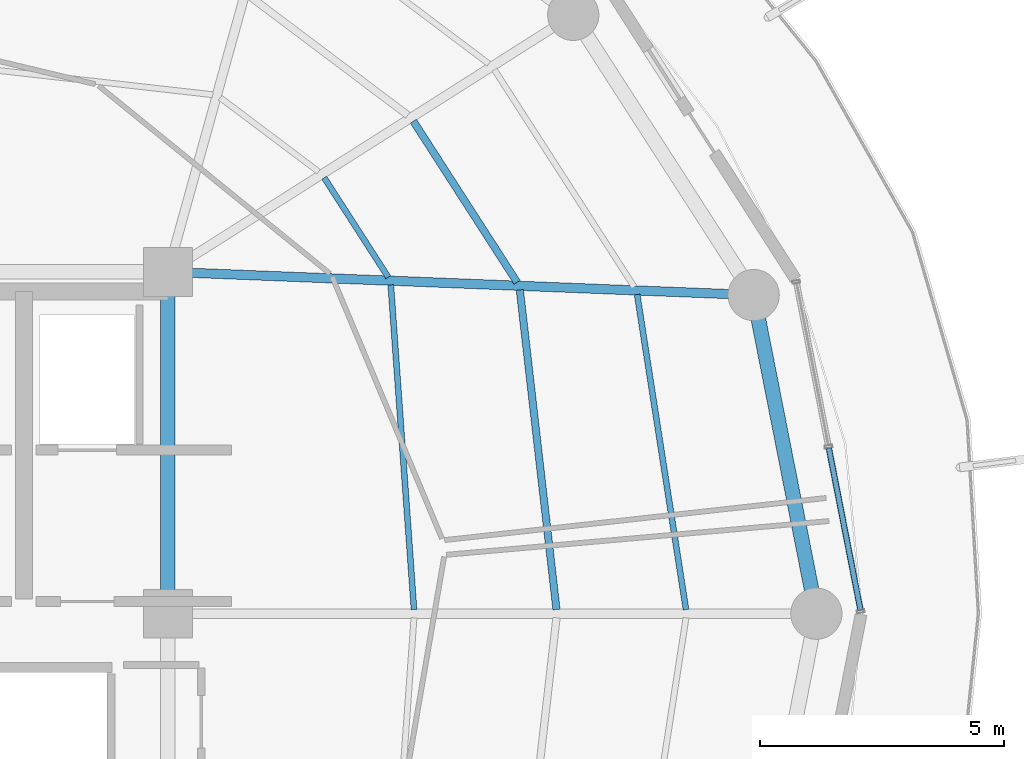
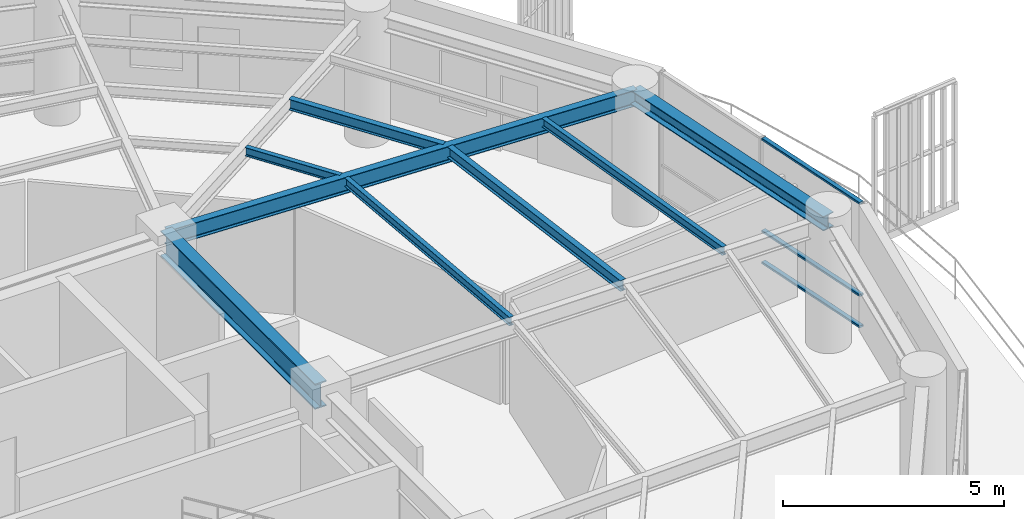
# One storey, part 14 of 30: 8 beams, 3 members, 1 element without a shape of its own.
"""IFC4 building model written with IfcOpenShell, lengths in metres."""

from ifc_helpers import new_model, si_unit, direction, frame, origin, origin_2d, place, context, subcontext, project, spatial, hollow_rectangle, i_section, extrude, material, layer, layer_set, material_profile, profile_set, type_object, element, aggregate, save


model = new_model("IFC4")

# Units and contexts
model_context = context("Model", 3, precision=1e-05, world=origin(), true_north=direction((0.0, 1.0)))
body_context = subcontext(model_context, "Body", "Model", "MODEL_VIEW")
ifc_project = project(units=[si_unit("LENGTHUNIT", "METRE"), si_unit("AREAUNIT", "SQUARE_METRE"), si_unit("VOLUMEUNIT", "CUBIC_METRE"), si_unit("PLANEANGLEUNIT", "RADIAN"), si_unit("MASSUNIT", "GRAM", prefix="KILO")], contexts=[model_context])

# Site, building, storey
site_placement = place(None, origin())
site = spatial("IfcSite", under=ifc_project, at=site_placement, CompositionType="ELEMENT")
building_placement = place(site_placement, origin())
building = spatial("IfcBuilding", under=site, at=building_placement, Name="Kelanora Arch Commons", CompositionType="ELEMENT")
storey_placement = place(building_placement, frame((0.0, 0.0, 234.449951171875)))
storey = spatial("IfcBuildingStorey", under=building, at=storey_placement, Name="L60", CompositionType="ELEMENT", Elevation=234.449951171875)

# Beams
ifc_material_1 = material(Name="Steel S355", Category="steel")
ifc_material_profile_1 = material_profile(ifc_material_1, i_section(OverallWidth=0.300048828125, OverallDepth=0.699951171875, WebThickness=0.01708984375, FlangeThickness=0.031982421875, FilletRadius=0.027099609375, at=origin_2d()), Name="HEB700")
ifc_profile_set_1 = profile_set([ifc_material_profile_1], Name="Steel S355")
beam_type_1 = type_object("IfcBeamType", Name="BM-CORE-HDR", PredefinedType="BEAM", material=ifc_profile_set_1)
beam_1_placement = place(storey_placement, frame((82.0, 58.0, 3.14013671875), z_axis=(0.0, 1.0, 0.0), x_axis=(-1.0, 0.0, 0.0)))
element("IfcBeam", 1, at=beam_1_placement, inside=storey, type_object=beam_type_1, Name="Core Header Beam 04 L60", PredefinedType="BEAM", context=body_context, shape_type="SweptSolid", body=[
    extrude(i_section(OverallWidth=0.300048828125, OverallDepth=0.699951171875, WebThickness=0.01708984375, FlangeThickness=0.031982421875, FilletRadius=0.027099609375, at=origin_2d()), origin(), (0.0, 0.0, 1.0), 7.0),
])
ifc_material_profile_2 = material_profile(ifc_material_1, i_section(OverallWidth=0.14990234375, OverallDepth=0.300048828125, WebThickness=0.007080078125, FlangeThickness=0.0107421875, FilletRadius=0.014892578125, at=origin_2d()), Name="IPE300")
ifc_profile_set_2 = profile_set([ifc_material_profile_2], Name="Steel S355")
beam_type_2 = type_object("IfcBeamType", Name="BM-JST-01", PredefinedType="JOIST", material=ifc_profile_set_2)
beam_2_placement = place(storey_placement, frame((89.958251953125, 58.08447265625, 3.340087890625), z_axis=(-0.113891408177, 0.993493204377, 0.0), x_axis=(-0.993493204377, -0.113891408177, 0.0)))
element("IfcBeam", 2, at=beam_2_placement, inside=storey, type_object=beam_type_2, Name="Secondary Chord Joist BJB-00 L60", PredefinedType="JOIST", context=body_context, shape_type="SweptSolid", body=[
    extrude(i_section(OverallWidth=0.14990234375, OverallDepth=0.300048828125, WebThickness=0.007080078125, FlangeThickness=0.0107421875, FilletRadius=0.014892578125, at=origin_2d()), origin(), (0.0, 0.0, 1.0), 6.589599609375),
])
beam_3_placement = place(storey_placement, frame((89.152099609375, 64.786865234375, 3.340087890625), z_axis=(-0.541411265892, 0.840757896879, 0.0), x_axis=(-0.840757896879, -0.541411265892, 0.0)))
element("IfcBeam", 3, at=beam_3_placement, inside=storey, type_object=beam_type_2, Name="Secondary Chord Joist BJB-02 L60", PredefinedType="JOIST", context=body_context, shape_type="SweptSolid", body=[
    extrude(i_section(OverallWidth=0.14990234375, OverallDepth=0.300048828125, WebThickness=0.007080078125, FlangeThickness=0.0107421875, FilletRadius=0.014892578125, at=origin_2d()), origin(), (0.0, 0.0, 1.0), 3.92529296875),
])
ifc_material_profile_3 = material_profile(ifc_material_1, i_section(OverallWidth=0.1201171875, OverallDepth=0.239990234375, WebThickness=0.006103515625, FlangeThickness=0.009765625, FilletRadius=0.014892578125, at=origin_2d()), Name="IPE240")
ifc_profile_set_3 = profile_set([ifc_material_profile_3], Name="Steel S355")
beam_type_3 = type_object("IfcBeamType", Name="BM-JST-02", PredefinedType="JOIST", material=ifc_profile_set_3)
beam_4_placement = place(storey_placement, frame((87.040283203125, 58.084716796875, 3.3701171875), z_axis=(-0.07133032136, 0.997452748382, 0.0), x_axis=(-0.997452748382, -0.07133032136, 0.0)))
element("IfcBeam", 4, at=beam_4_placement, inside=storey, type_object=beam_type_3, Name="Secondary Chord Joist BJA-00 L60", PredefinedType="JOIST", context=body_context, shape_type="SweptSolid", body=[
    extrude(i_section(OverallWidth=0.1201171875, OverallDepth=0.239990234375, WebThickness=0.006103515625, FlangeThickness=0.009765625, FilletRadius=0.014892578125, at=origin_2d()), origin(), (0.0, 0.0, 1.0), 6.66748046875),
])
beam_5_placement = place(storey_placement, frame((92.611083984375, 58.083984375, 3.3701171875), z_axis=(-0.153256756152, 0.988186402808, 0.0), x_axis=(-0.988186402808, -0.153256756152, 0.0)))
element("IfcBeam", 5, at=beam_5_placement, inside=storey, type_object=beam_type_3, Name="Secondary Chord Joist BJC-00 L60", PredefinedType="JOIST", context=body_context, shape_type="SweptSolid", body=[
    extrude(i_section(OverallWidth=0.1201171875, OverallDepth=0.239990234375, WebThickness=0.006103515625, FlangeThickness=0.009765625, FilletRadius=0.014892578125, at=origin_2d()), origin(), (0.0, 0.0, 1.0), 6.52978515625),
])
beam_6_placement = place(storey_placement, frame((86.5126953125, 64.89111328125, 3.3701171875), z_axis=(-0.541332763503, 0.840808443796, 0.0), x_axis=(-0.840808443796, -0.541332763503, 0.0)))
element("IfcBeam", 6, at=beam_6_placement, inside=storey, type_object=beam_type_3, Name="Secondary Chord Joist BJA-02 L60", PredefinedType="JOIST", context=body_context, shape_type="SweptSolid", body=[
    extrude(i_section(OverallWidth=0.1201171875, OverallDepth=0.239990234375, WebThickness=0.006103515625, FlangeThickness=0.009765625, FilletRadius=0.014892578125, at=origin_2d()), origin(), (0.0, 0.0, 1.0), 2.423583984375),
])
ifc_material_profile_4 = material_profile(ifc_material_1, i_section(OverallWidth=0.18994140625, OverallDepth=0.449951171875, WebThickness=0.009521484375, FlangeThickness=0.0146484375, FilletRadius=0.02099609375, at=origin_2d()), Name="IPE450")
ifc_profile_set_4 = profile_set([ifc_material_profile_4], Name="Steel S355")
beam_type_4 = type_object("IfcBeamType", Name="BM-RAD-Z4", PredefinedType="BEAM", material=ifc_profile_set_4)
beam_7_placement = place(storey_placement, frame((82.0, 65.0, 3.26513671875), z_axis=(0.999219142585, -0.03951082246, 0.0), x_axis=(0.03951082246, 0.999219142585, 0.0)))
element("IfcBeam", 7, at=beam_7_placement, inside=storey, type_object=beam_type_4, Name="Radial Floor Girder BR-02 L60", PredefinedType="BEAM", context=body_context, shape_type="SweptSolid", body=[
    extrude(i_section(OverallWidth=0.18994140625, OverallDepth=0.449951171875, WebThickness=0.009521484375, FlangeThickness=0.0146484375, FilletRadius=0.02099609375, at=origin_2d()), origin(), (0.0, 0.0, 1.0), 12.005859375),
])
ifc_material_profile_5 = material_profile(ifc_material_1, i_section(OverallWidth=0.300048828125, OverallDepth=0.39990234375, WebThickness=0.013427734375, FlangeThickness=0.02392578125, FilletRadius=0.027099609375, at=origin_2d()), Name="HEB400")
ifc_profile_set_5 = profile_set([ifc_material_profile_5], Name="Steel S355")
beam_type_5 = type_object("IfcBeamType", Name="BM-SPN-Z4", PredefinedType="SPANDREL", material=ifc_profile_set_5)
beam_8_placement = place(storey_placement, frame((95.280029296875, 58.0, 3.2900390625), z_axis=(-0.192980724826, 0.981202547819, 0.0), x_axis=(-0.981202547819, -0.192980724826, 0.0)))
element("IfcBeam", 8, at=beam_8_placement, inside=storey, type_object=beam_type_5, Name="Perimeter Spandrel Beam BS-00 L60", PredefinedType="SPANDREL", context=body_context, shape_type="SweptSolid", body=[
    extrude(i_section(OverallWidth=0.300048828125, OverallDepth=0.39990234375, WebThickness=0.013427734375, FlangeThickness=0.02392578125, FilletRadius=0.027099609375, at=origin_2d()), origin(), (0.0, 0.0, 1.0), 6.650634765625),
])

# Curtain wall, members
ifc_material_2 = material(Name="Terracotta ceramic-fritted low-E glass and aluminium", Category="masonry")
ifc_layer = layer(ifc_material_2, 0.175048828125)
ifc_layer_set = layer_set([ifc_layer], Name="Terracotta ceramic-fritted low-E glass and aluminium")
curtain_wall_type = type_object("IfcCurtainWallType", Name="CW-SYS-02", PredefinedType="NOTDEFINED", material=ifc_layer_set)
curtain_wall_placement = place(storey_placement, origin())
curtain_wall = element("IfcCurtainWall", 9, at=curtain_wall_placement, inside=storey, type_object=curtain_wall_type, Name="Unitised Curtain Wall L60-B00", PredefinedType="NOTDEFINED")
ifc_material_3 = material(Name="Powder-coated aluminium terracotta", Category="masonry")
ifc_material_profile_6 = material_profile(ifc_material_3, hollow_rectangle(XDim=0.1201171875, YDim=0.06005859375, WallThickness=0.0048828125, InnerFilletRadius=0.0048828125, OuterFilletRadius=0.010009765625, at=origin_2d()), Name="CWT120x60")
ifc_profile_set_6 = profile_set([ifc_material_profile_6], Name="Powder-coated aluminium terracotta")
member_type = type_object("IfcMemberType", Name="CWT-STD", PredefinedType="USERDEFINED", material=ifc_profile_set_6)
member_1_placement = place(storey_placement, frame((96.185546875, 58.073486328125, 0.030029296875), z_axis=(-0.192044874899, 0.981386145218, 0.0), x_axis=(-0.981386145218, -0.192044874899, 0.0)))
member_1 = element("IfcMember", 10, at=member_1_placement, type_object=member_type, Name="CW-02 transom 1.1", ObjectType="TRANSOM", PredefinedType="USERDEFINED", context=body_context, shape_type="SweptSolid", body=[
    extrude(hollow_rectangle(XDim=0.1201171875, YDim=0.06005859375, WallThickness=0.0048828125, InnerFilletRadius=0.0048828125, OuterFilletRadius=0.010009765625, at=origin_2d()), origin(), (0.0, 0.0, 1.0), 3.38037109375),
])
member_2_placement = place(storey_placement, frame((96.185546875, 58.073486328125, 0.900146484375), z_axis=(-0.192044874899, 0.981386145218, 0.0), x_axis=(-0.981386145218, -0.192044874899, 0.0)))
member_2 = element("IfcMember", 11, at=member_2_placement, type_object=member_type, Name="CW-02 transom 1.2", ObjectType="TRANSOM", PredefinedType="USERDEFINED", context=body_context, shape_type="SweptSolid", body=[
    extrude(hollow_rectangle(XDim=0.1201171875, YDim=0.06005859375, WallThickness=0.0048828125, InnerFilletRadius=0.0048828125, OuterFilletRadius=0.010009765625, at=origin_2d()), origin(), (0.0, 0.0, 1.0), 3.38037109375),
])
member_3_placement = place(storey_placement, frame((96.185546875, 58.073486328125, 3.445068359375), z_axis=(-0.192044874899, 0.981386145218, 0.0), x_axis=(-0.981386145218, -0.192044874899, 0.0)))
member_3 = element("IfcMember", 12, at=member_3_placement, type_object=member_type, Name="CW-02 transom 1.3", ObjectType="TRANSOM", PredefinedType="USERDEFINED", context=body_context, shape_type="SweptSolid", body=[
    extrude(hollow_rectangle(XDim=0.1201171875, YDim=0.06005859375, WallThickness=0.0048828125, InnerFilletRadius=0.0048828125, OuterFilletRadius=0.010009765625, at=origin_2d()), origin(), (0.0, 0.0, 1.0), 3.38037109375),
])
aggregate(curtain_wall, [member_1, member_2, member_3])

save(model, "model.ifc")
